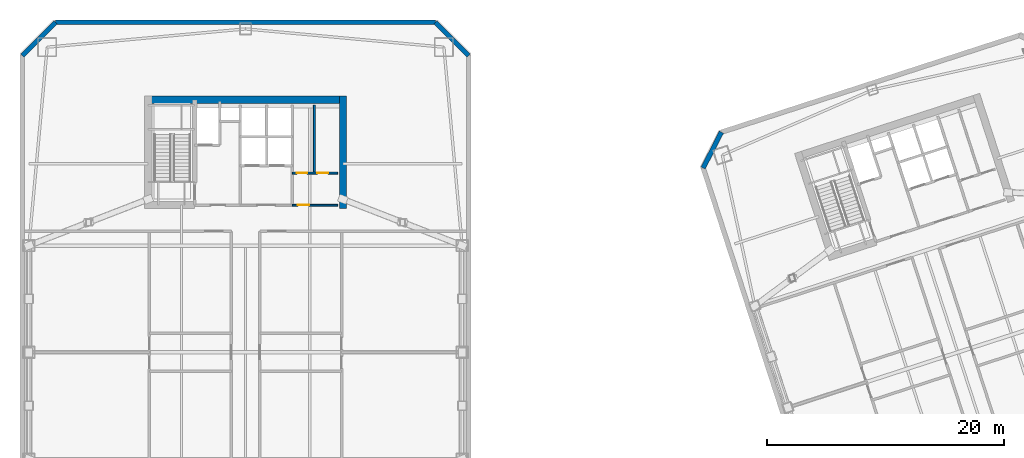
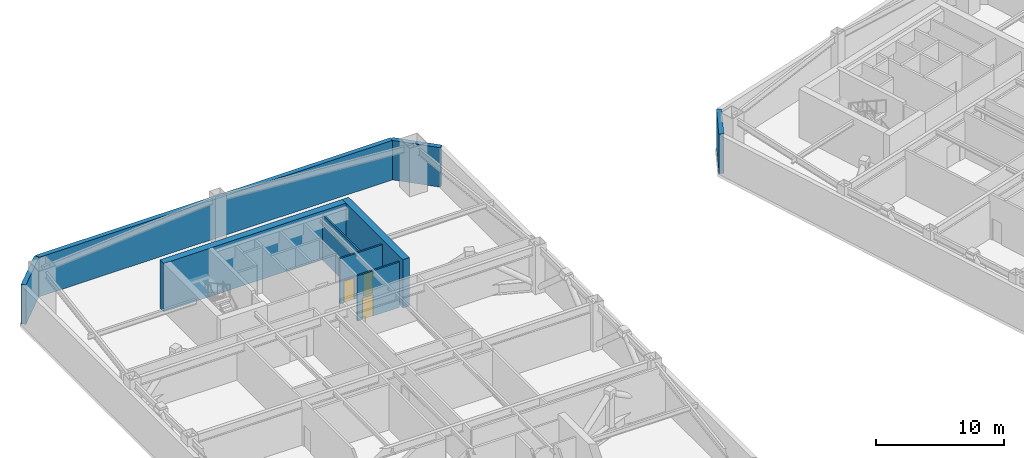
# One storey, part 9 of 14: 9 walls, 3 doors, 3 openings.
"""IFC4 building model written with IfcOpenShell, lengths in metres."""

from ifc_helpers import new_model, si_unit, direction, frame, frame_2d, origin, place, context, subcontext, project, spatial, rectangle, extrude, material, layer, layer_set, type_object, element, fill, save


model = new_model("IFC4")

# Units and contexts
model_context = context("Model", 3, precision=1e-05, world=origin(), true_north=direction((0.0, 1.0)))
body_context = subcontext(model_context, "Body", "Model", "MODEL_VIEW")
ifc_project = project(units=[si_unit("LENGTHUNIT", "METRE"), si_unit("AREAUNIT", "SQUARE_METRE"), si_unit("VOLUMEUNIT", "CUBIC_METRE"), si_unit("PLANEANGLEUNIT", "RADIAN"), si_unit("MASSUNIT", "GRAM", prefix="KILO")], contexts=[model_context])

# Site, building, storey
site_placement = place(None, origin())
site = spatial("IfcSite", under=ifc_project, at=site_placement, CompositionType="ELEMENT")
building_placement = place(site_placement, origin())
building = spatial("IfcBuilding", under=site, at=building_placement, Name="Qiaolan Cultural Towers", CompositionType="ELEMENT")
storey_placement = place(building_placement, frame((0.0, 0.0, 138.0)))
storey = spatial("IfcBuildingStorey", under=building, at=storey_placement, Name="L36", CompositionType="ELEMENT", Elevation=138.0)

# Walls
ifc_material_1 = material(Name="Concrete C55", Category="concrete")
ifc_layer_1 = layer(ifc_material_1, 0.60009765625)
ifc_layer_set_1 = layer_set([ifc_layer_1], Name="Concrete C55")
wall_type_1 = type_object("IfcWallType", Name="WL-CORE-600", PredefinedType="SHEAR", material=ifc_layer_set_1)
wall_1_placement = place(storey_placement, frame((21.5, 55.280029296875, 0.0), z_axis=(0.0, 0.0, 1.0), x_axis=(1.0, 0.0, 0.0)))
element("IfcWall", 1, at=wall_1_placement, inside=storey, type_object=wall_type_1, Name="L36 T1-CN Outer Core Shear Wall", PredefinedType="SHEAR", context=body_context, shape_type="SweptSolid", body=[
    extrude(rectangle(XDim=17.0, YDim=0.60009765625, at=frame_2d((8.5, 0.0))), origin(), (0.0, 0.0, 1.0), 4.60009765625),
])
wall_2_placement = place(storey_placement, frame((38.199951171875, 46.10009765625, 0.0), z_axis=(0.0, 0.0, 1.0), x_axis=(0.0, 1.0, 0.0)))
element("IfcWall", 2, at=wall_2_placement, inside=storey, type_object=wall_type_1, Name="L36 T1-CN East Core Shear Wall", PredefinedType="SHEAR", context=body_context, shape_type="SweptSolid", body=[
    extrude(rectangle(XDim=9.47998046875, YDim=0.60009765625, at=frame_2d((4.739990234375, 0.0))), origin(), (0.0, 0.0, 1.0), 4.60009765625),
])
ifc_material_2 = material(Name="Precast Concrete C50 Honed Stone Pier", Category="masonry")
ifc_layer_2 = layer(ifc_material_2, 0.39990234375)
ifc_layer_set_2 = layer_set([ifc_layer_2], Name="Precast Concrete C50 Honed Stone Pier")
wall_type_2 = type_object("IfcWallType", Name="WL-EXT-PIER-400", PredefinedType="SOLIDWALL", material=ifc_layer_set_2)
wall_3_placement = place(storey_placement, frame((11.199951171875, 59.0, 0.0), z_axis=(0.0, 0.0, 1.0), x_axis=(0.707106781187, 0.707106781187, 0.0)))
element("IfcWall", 3, at=wall_3_placement, inside=storey, type_object=wall_type_2, Name="L36 West Tower Precast Pier Facade Wall F2", PredefinedType="SOLIDWALL", context=body_context, shape_type="SweptSolid", body=[
    extrude(rectangle(XDim=3.9599609375, YDim=0.39990234375, at=frame_2d((1.97998046875, 0.0))), origin(), (0.0, 0.0, 1.0), 3.760009765625),
])
wall_4_placement = place(storey_placement, frame((14.0, 61.800048828125, 0.0), z_axis=(0.0, 0.0, 1.0), x_axis=(1.0, 0.0, 0.0)))
element("IfcWall", 4, at=wall_4_placement, inside=storey, type_object=wall_type_2, Name="L36 West Tower Precast Pier Facade Wall F3", PredefinedType="SOLIDWALL", context=body_context, shape_type="SweptSolid", body=[
    extrude(rectangle(XDim=32.0, YDim=0.39990234375, at=frame_2d((16.0, 0.0))), origin(), (0.0, 0.0, 1.0), 3.760009765625),
])
wall_5_placement = place(storey_placement, frame((46.0, 61.800048828125, 0.0), z_axis=(0.0, 0.0, 1.0), x_axis=(0.707106781187, -0.707106781187, 0.0)))
element("IfcWall", 5, at=wall_5_placement, inside=storey, type_object=wall_type_2, Name="L36 West Tower Precast Pier Facade Wall F4", PredefinedType="SOLIDWALL", context=body_context, shape_type="SweptSolid", body=[
    extrude(rectangle(XDim=3.9599609375, YDim=0.39990234375, at=frame_2d((1.97998046875, 0.0))), origin(), (0.0, 0.0, 1.0), 3.760009765625),
])
wall_6_placement = place(storey_placement, frame((68.550537109375, 49.531982421875, 0.0), z_axis=(0.0, 0.0, 1.0), x_axis=(0.454019523198, 0.890991735402, 0.0)))
element("IfcWall", 6, at=wall_6_placement, inside=storey, type_object=wall_type_2, Name="L36 East Tower Precast Pier Facade Wall F2", PredefinedType="SOLIDWALL", context=body_context, shape_type="SweptSolid", body=[
    extrude(rectangle(XDim=3.39404296875, YDim=0.39990234375, at=frame_2d((1.697021484375, 0.0))), origin(), (0.0, 0.0, 1.0), 3.760009765625),
])

# Wall, opening, door
ifc_material_3 = material(Name="Autoclaved Aerated Concrete Block B06", Category="concrete")
ifc_layer_3 = layer(ifc_material_3, 0.14990234375)
ifc_layer_set_3 = layer_set([ifc_layer_3], Name="Autoclaved Aerated Concrete Block B06")
wall_type_3 = type_object("IfcWallType", Name="WL-PART-150", PredefinedType="PARTITIONING", material=ifc_layer_set_3)
wall_7_placement = place(storey_placement, frame((33.949951171875, 46.39990234375, 0.0), z_axis=(0.0, 0.0, 1.0), x_axis=(1.0, 0.0, 0.0)))
wall_7 = element("IfcWall", 7, at=wall_7_placement, inside=storey, type_object=wall_type_3, Name="L36 T1-CN Sanitary Core Front Wall", PredefinedType="PARTITIONING", context=body_context, shape_type="SweptSolid", body=[
    extrude(rectangle(XDim=3.800048828125, YDim=0.14990234375, at=frame_2d((1.89990234375, 0.0))), origin(), (0.0, 0.0, 1.0), 4.324951171875),
])
opening_1_placement = place(wall_7_placement, frame((0.449951171875, 0.0, 0.0)))
opening_1 = element("IfcOpeningElement", 8, at=opening_1_placement, cuts=wall_7, Name="Opening ID-05", PredefinedType="OPENING", context=body_context, shape_type="SweptSolid", body=[
    extrude(rectangle(XDim=0.949951171875, YDim=2.050048828125, at=frame_2d((0.47509765625, 1.02490234375))), frame((0.0, 0.0849609375, 0.0), z_axis=(0.0, -1.0, 0.0), x_axis=(1.0, 0.0, 0.0)), (0.0, 0.0, 1.0), 0.169921875),
])
ifc_material_4 = material(Name="Fire-Rated Laminate Accessible Core Door", Category="timber")
door_type_1 = type_object("IfcDoorType", Name="DR-INT-950", OperationType="NOTDEFINED", PredefinedType="DOOR", material=ifc_material_4)
door_1_placement = place(opening_1_placement, origin())
door_1 = element("IfcDoor", 9, at=door_1_placement, inside=storey, type_object=door_type_1, Name="L36 Sanitary Vestibule Door", OperationType="SINGLE_SWING_LEFT", OverallHeight=2.050048828125, OverallWidth=0.949951171875, PredefinedType="DOOR", context=body_context, shape_type="SweptSolid", body=[
    extrude(rectangle(XDim=0.949951171875, YDim=2.050048828125, at=frame_2d((0.47509765625, 1.02490234375))), frame((0.0, 0.02490234375, 0.0), z_axis=(0.0, -1.0, 0.0), x_axis=(1.0, 0.0, 0.0)), (0.0, 0.0, 1.0), 0.050048828125),
])
fill(opening_1, door_1)

# Wall, openings, doors
wall_8_placement = place(storey_placement, frame((33.949951171875, 49.10009765625, 0.0), z_axis=(0.0, 0.0, 1.0), x_axis=(1.0, 0.0, 0.0)))
wall_8 = element("IfcWall", 10, at=wall_8_placement, inside=storey, type_object=wall_type_3, Name="L36 T1-CN Restroom Vestibule Wall", PredefinedType="PARTITIONING", context=body_context, shape_type="SweptSolid", body=[
    extrude(rectangle(XDim=3.800048828125, YDim=0.14990234375, at=frame_2d((1.89990234375, 0.0))), origin(), (0.0, 0.0, 1.0), 4.324951171875),
])
opening_2_placement = place(wall_8_placement, frame((0.35009765625, 0.0, 0.0)))
opening_2 = element("IfcOpeningElement", 11, at=opening_2_placement, cuts=wall_8, Name="Opening ID-06", PredefinedType="OPENING", context=body_context, shape_type="SweptSolid", body=[
    extrude(rectangle(XDim=0.89990234375, YDim=2.050048828125, at=frame_2d((0.449951171875, 1.02490234375))), frame((0.0, 0.0849609375, 0.0), z_axis=(0.0, -1.0, 0.0), x_axis=(1.0, 0.0, 0.0)), (0.0, 0.0, 1.0), 0.169921875),
])
opening_3_placement = place(wall_8_placement, frame((2.10009765625, 0.0, 0.0)))
opening_3 = element("IfcOpeningElement", 12, at=opening_3_placement, cuts=wall_8, Name="Opening ID-06", PredefinedType="OPENING", context=body_context, shape_type="SweptSolid", body=[
    extrude(rectangle(XDim=0.89990234375, YDim=2.050048828125, at=frame_2d((0.449951171875, 1.02490234375))), frame((0.0, 0.0849609375, 0.0), z_axis=(0.0, -1.0, 0.0), x_axis=(1.0, 0.0, 0.0)), (0.0, 0.0, 1.0), 0.169921875),
])
ifc_material_5 = material(Name="Fire-Rated Laminate Core Service Door", Category="timber")
door_type_2 = type_object("IfcDoorType", Name="DR-INT-900", OperationType="NOTDEFINED", PredefinedType="DOOR", material=ifc_material_5)
door_2_placement = place(opening_2_placement, origin())
door_2 = element("IfcDoor", 13, at=door_2_placement, inside=storey, type_object=door_type_2, Name="L36 Men Restroom Door", OperationType="SINGLE_SWING_LEFT", OverallHeight=2.050048828125, OverallWidth=0.89990234375, PredefinedType="DOOR", context=body_context, shape_type="SweptSolid", body=[
    extrude(rectangle(XDim=0.89990234375, YDim=2.050048828125, at=frame_2d((0.449951171875, 1.02490234375))), frame((0.0, 0.02490234375, 0.0), z_axis=(0.0, -1.0, 0.0), x_axis=(1.0, 0.0, 0.0)), (0.0, 0.0, 1.0), 0.050048828125),
])
fill(opening_2, door_2)
door_3_placement = place(opening_3_placement, origin())
door_3 = element("IfcDoor", 14, at=door_3_placement, inside=storey, type_object=door_type_2, Name="L36 Accessible & Women Restroom Door", OperationType="SINGLE_SWING_RIGHT", OverallHeight=2.050048828125, OverallWidth=0.89990234375, PredefinedType="DOOR", context=body_context, shape_type="SweptSolid", body=[
    extrude(rectangle(XDim=0.89990234375, YDim=2.050048828125, at=frame_2d((0.449951171875, 1.02490234375))), frame((0.0, 0.02490234375, 0.0), z_axis=(0.0, -1.0, 0.0), x_axis=(1.0, 0.0, 0.0)), (0.0, 0.0, 1.0), 0.050048828125),
])
fill(opening_3, door_3)

# Wall
wall_9_placement = place(storey_placement, frame((35.800048828125, 49.10009765625, 0.0), z_axis=(0.0, 0.0, 1.0), x_axis=(0.0, 1.0, 0.0)))
element("IfcWall", 15, at=wall_9_placement, inside=storey, type_object=wall_type_3, Name="L36 T1-CN Restroom Divider Wall", PredefinedType="PARTITIONING", context=body_context, shape_type="SweptSolid", body=[
    extrude(rectangle(XDim=5.72998046875, YDim=0.14990234375, at=frame_2d((2.864990234375, 0.0))), origin(), (0.0, 0.0, 1.0), 4.324951171875),
])

save(model, "model.ifc")
